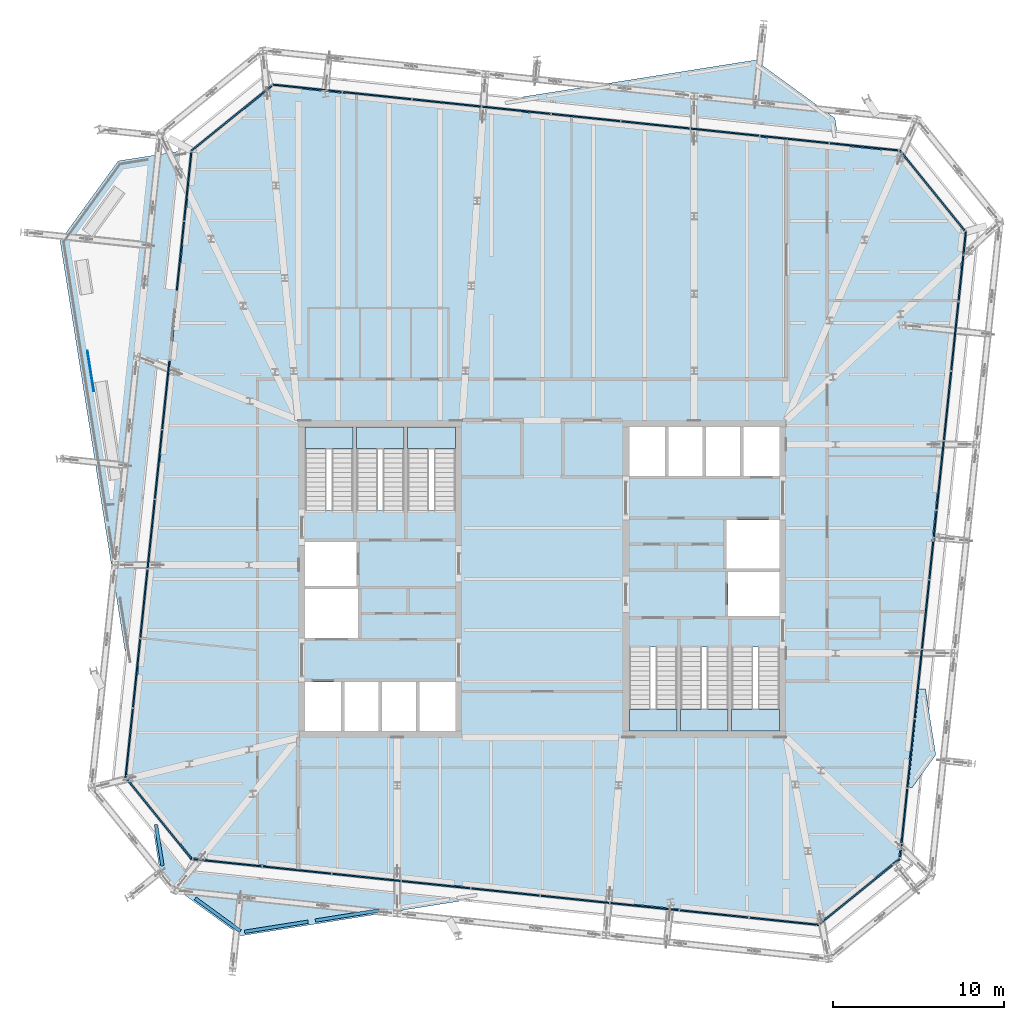
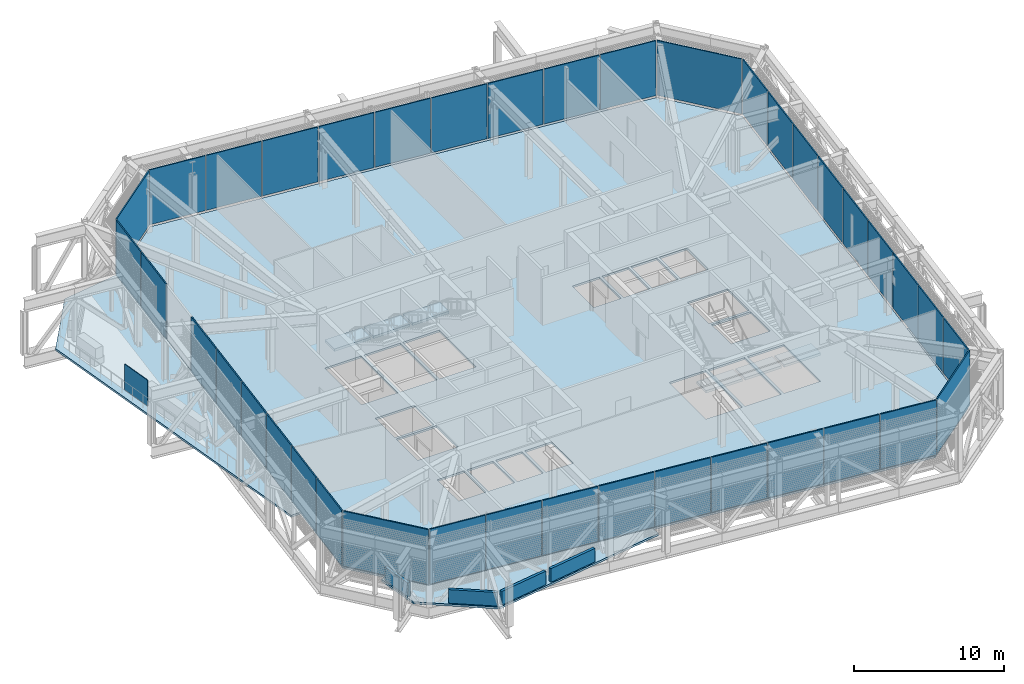
# One storey, part 20 of 36: 40 plates, 11 slabs, 4 walls, 14 elements without a shape of their own.
"""IFC4 building model written with IfcOpenShell, lengths in metres."""

from ifc_helpers import new_model, si_unit, direction, frame, frame_2d, origin, origin_2d, place, context, subcontext, project, spatial, polyline, rectangle, outline, extrude, material, layer, layer_set, type_object, element, aggregate, save


model = new_model("IFC4")

# Units and contexts
model_context = context("Model", 3, precision=1e-05, world=origin(), true_north=direction((0.0, 1.0)))
body_context = subcontext(model_context, "Body", "Model", "MODEL_VIEW")
ifc_project = project(units=[si_unit("LENGTHUNIT", "METRE"), si_unit("AREAUNIT", "SQUARE_METRE"), si_unit("VOLUMEUNIT", "CUBIC_METRE"), si_unit("PLANEANGLEUNIT", "RADIAN"), si_unit("MASSUNIT", "GRAM", prefix="KILO")], contexts=[model_context])

# Site, building, storey
site_placement = place(None, origin())
site = spatial("IfcSite", under=ifc_project, at=site_placement, CompositionType="ELEMENT")
building_placement = place(site_placement, origin())
building = spatial("IfcBuilding", under=site, at=building_placement, Name="Millrace Tower", CompositionType="ELEMENT")
storey_placement = place(building_placement, frame((0.0, 0.0, 271.39990234375)))
storey = spatial("IfcBuildingStorey", under=building, at=storey_placement, Name="L62", CompositionType="ELEMENT", Elevation=271.39990234375)

# Curtain wall, plate
ifc_material_1 = material(Name="Aluminium and glass", Category="aluminium")
ifc_layer_1 = layer(ifc_material_1, 0.14990234375)
ifc_layer_set_1 = layer_set([ifc_layer_1], Name="Aluminium and glass")
curtain_wall_type = type_object("IfcCurtainWallType", Name="CW-5 truss and plant storey louvred infill", PredefinedType="NOTDEFINED", material=ifc_layer_set_1)
placement_1 = place(storey_placement, origin())
curtain_wall_1 = element("IfcCurtainWall", 1, at=placement_1, inside=storey, type_object=curtain_wall_type, Name="Curtain wall E-F01 L62", PredefinedType="NOTDEFINED")
ifc_material_2 = material(Name="Glass", Category="glass")
ifc_layer_2 = layer(ifc_material_2, 0.090087890625)
ifc_layer_set_2 = layer_set([ifc_layer_2], Name="Glass")
plate_type_1 = type_object("IfcPlateType", Name="CW-5 truss and plant storey louvred infill louvre cassette", PredefinedType="CURTAIN_PANEL", material=ifc_layer_set_2)
placement_2 = place(storey_placement, frame((0.0, 0.0, 0.14013671875)))
plate_1 = element("IfcPlate", 2, at=placement_2, type_object=plate_type_1, Name="CW5 panel E-F01.1", PredefinedType="CURTAIN_PANEL", context=body_context, shape_type="SweptSolid", body=[
    extrude(outline(polyline([(-24.40625, -11.746826171875), (-20.5888671875, -16.4609375), (-20.54248046875, -16.375244140625), (-24.33642578125, -11.690185546875), (-24.40625, -11.746826171875)])), origin(), (0.0, 0.0, 1.0), 4.4599609375),
])
aggregate(curtain_wall_1, [plate_1])

# Curtain wall, plates
curtain_wall_2 = element("IfcCurtainWall", 3, at=placement_1, inside=storey, type_object=curtain_wall_type, Name="Curtain wall E-F02 L62", PredefinedType="NOTDEFINED")
plate_2 = element("IfcPlate", 4, at=placement_2, type_object=plate_type_1, Name="CW5 panel E-F02.1", PredefinedType="CURTAIN_PANEL", context=body_context, shape_type="SweptSolid", body=[
    extrude(outline(polyline([(-20.474853515625, -16.472900390625), (-16.4619140625, -16.894775390625), (-16.45263671875, -16.80517578125), (-20.46533203125, -16.383544921875), (-20.474853515625, -16.472900390625)])), origin(), (0.0, 0.0, 1.0), 4.4599609375),
])
plate_3 = element("IfcPlate", 5, at=placement_2, type_object=plate_type_1, Name="CW5 panel E-F02.2", PredefinedType="CURTAIN_PANEL", context=body_context, shape_type="SweptSolid", body=[
    extrude(outline(polyline([(-16.397216796875, -16.901611328125), (-12.384521484375, -17.3232421875), (-12.375, -17.23388671875), (-16.387939453125, -16.81201171875), (-16.397216796875, -16.901611328125)])), origin(), (0.0, 0.0, 1.0), 4.4599609375),
])
plate_4 = element("IfcPlate", 6, at=placement_2, type_object=plate_type_1, Name="CW5 panel E-F02.3", PredefinedType="CURTAIN_PANEL", context=body_context, shape_type="SweptSolid", body=[
    extrude(outline(polyline([(-12.31982421875, -17.330078125), (-8.306884765625, -17.751953125), (-8.29736328125, -17.662353515625), (-12.310302734375, -17.240478515625), (-12.31982421875, -17.330078125)])), origin(), (0.0, 0.0, 1.0), 4.4599609375),
])
plate_5 = element("IfcPlate", 7, at=placement_2, type_object=plate_type_1, Name="CW5 panel E-F02.4", PredefinedType="CURTAIN_PANEL", context=body_context, shape_type="SweptSolid", body=[
    extrude(outline(polyline([(-8.2421875, -17.758544921875), (-4.229248046875, -18.180419921875), (-4.219970703125, -18.0908203125), (-8.23291015625, -17.669189453125), (-8.2421875, -17.758544921875)])), origin(), (0.0, 0.0, 1.0), 4.4599609375),
])
plate_6 = element("IfcPlate", 8, at=placement_2, type_object=plate_type_1, Name="CW5 panel E-F02.5", PredefinedType="CURTAIN_PANEL", context=body_context, shape_type="SweptSolid", body=[
    extrude(outline(polyline([(-4.164794921875, -18.187255859375), (-0.15185546875, -18.60888671875), (-0.142333984375, -18.51953125), (-4.1552734375, -18.09765625), (-4.164794921875, -18.187255859375)])), origin(), (0.0, 0.0, 1.0), 4.4599609375),
])
plate_7 = element("IfcPlate", 9, at=placement_2, type_object=plate_type_1, Name="CW5 panel E-F02.6", PredefinedType="CURTAIN_PANEL", context=body_context, shape_type="SweptSolid", body=[
    extrude(outline(polyline([(-0.087158203125, -18.61572265625), (3.92578125, -19.03759765625), (3.93505859375, -18.947998046875), (-0.07763671875, -18.5263671875), (-0.087158203125, -18.61572265625)])), origin(), (0.0, 0.0, 1.0), 4.4599609375),
])
plate_8 = element("IfcPlate", 10, at=placement_2, type_object=plate_type_1, Name="CW5 panel E-F02.7", PredefinedType="CURTAIN_PANEL", context=body_context, shape_type="SweptSolid", body=[
    extrude(outline(polyline([(3.990478515625, -19.04443359375), (8.003173828125, -19.466064453125), (8.0126953125, -19.376708984375), (3.999755859375, -18.954833984375), (3.990478515625, -19.04443359375)])), origin(), (0.0, 0.0, 1.0), 4.4599609375),
])
plate_9 = element("IfcPlate", 11, at=placement_2, type_object=plate_type_1, Name="CW5 panel E-F02.8", PredefinedType="CURTAIN_PANEL", context=body_context, shape_type="SweptSolid", body=[
    extrude(outline(polyline([(8.06787109375, -19.472900390625), (12.080810546875, -19.894775390625), (12.09033203125, -19.80517578125), (8.077392578125, -19.38330078125), (8.06787109375, -19.472900390625)])), origin(), (0.0, 0.0, 1.0), 4.4599609375),
])
plate_10 = element("IfcPlate", 12, at=placement_2, type_object=plate_type_1, Name="CW5 panel E-F02.9", PredefinedType="CURTAIN_PANEL", context=body_context, shape_type="SweptSolid", body=[
    extrude(outline(polyline([(12.1455078125, -19.901611328125), (16.207763671875, -20.328369140625), (16.18017578125, -20.235107421875), (12.15478515625, -19.81201171875), (12.1455078125, -19.901611328125)])), origin(), (0.0, 0.0, 1.0), 4.4599609375),
])
aggregate(curtain_wall_2, [plate_2, plate_3, plate_4, plate_5, plate_6, plate_7, plate_8, plate_9, plate_10])

# Curtain wall, plate
curtain_wall_3 = element("IfcCurtainWall", 13, at=placement_1, inside=storey, type_object=curtain_wall_type, Name="Curtain wall E-F03 L62", PredefinedType="NOTDEFINED")
plate_11 = element("IfcPlate", 14, at=placement_2, type_object=plate_type_1, Name="CW5 panel E-F03.1", PredefinedType="CURTAIN_PANEL", context=body_context, shape_type="SweptSolid", body=[
    extrude(outline(polyline([(16.296875, -20.25634765625), (21.010986328125, -16.43896484375), (20.92529296875, -16.392333984375), (16.240234375, -20.186279296875), (16.296875, -20.25634765625)])), origin(), (0.0, 0.0, 1.0), 4.4599609375),
])
aggregate(curtain_wall_3, [plate_11])

# Curtain wall, plates
curtain_wall_4 = element("IfcCurtainWall", 15, at=placement_1, inside=storey, type_object=curtain_wall_type, Name="Curtain wall E-F04 L62", PredefinedType="NOTDEFINED")
plate_12 = element("IfcPlate", 16, at=placement_2, type_object=plate_type_1, Name="CW5 panel E-F04.1", PredefinedType="CURTAIN_PANEL", context=body_context, shape_type="SweptSolid", body=[
    extrude(outline(polyline([(21.02294921875, -16.324951171875), (21.44482421875, -12.31201171875), (21.355224609375, -12.302490234375), (20.933349609375, -16.3154296875), (21.02294921875, -16.324951171875)])), origin(), (0.0, 0.0, 1.0), 4.4599609375),
])
plate_13 = element("IfcPlate", 17, at=placement_2, type_object=plate_type_1, Name="CW5 panel E-F04.2", PredefinedType="CURTAIN_PANEL", context=body_context, shape_type="SweptSolid", body=[
    extrude(outline(polyline([(21.451416015625, -12.247314453125), (21.873291015625, -8.234375), (21.78369140625, -8.22509765625), (21.362060546875, -12.23779296875), (21.451416015625, -12.247314453125)])), origin(), (0.0, 0.0, 1.0), 4.4599609375),
])
plate_14 = element("IfcPlate", 18, at=placement_2, type_object=plate_type_1, Name="CW5 panel E-F04.3", PredefinedType="CURTAIN_PANEL", context=body_context, shape_type="SweptSolid", body=[
    extrude(outline(polyline([(21.880126953125, -8.169677734375), (22.3017578125, -4.156982421875), (22.21240234375, -4.1474609375), (21.79052734375, -8.160400390625), (21.880126953125, -8.169677734375)])), origin(), (0.0, 0.0, 1.0), 4.4599609375),
])
plate_15 = element("IfcPlate", 19, at=placement_2, type_object=plate_type_1, Name="CW5 panel E-F04.4", PredefinedType="CURTAIN_PANEL", context=body_context, shape_type="SweptSolid", body=[
    extrude(outline(polyline([(22.30859375, -4.09228515625), (22.73046875, -0.079345703125), (22.640869140625, -0.06982421875), (22.21923828125, -4.082763671875), (22.30859375, -4.09228515625)])), origin(), (0.0, 0.0, 1.0), 4.4599609375),
])
plate_16 = element("IfcPlate", 20, at=placement_2, type_object=plate_type_1, Name="CW5 panel E-F04.5", PredefinedType="CURTAIN_PANEL", context=body_context, shape_type="SweptSolid", body=[
    extrude(outline(polyline([(22.7373046875, -0.0146484375), (23.158935546875, 3.998291015625), (23.069580078125, 4.007568359375), (22.647705078125, -0.00537109375), (22.7373046875, -0.0146484375)])), origin(), (0.0, 0.0, 1.0), 4.4599609375),
])
plate_17 = element("IfcPlate", 21, at=placement_2, type_object=plate_type_1, Name="CW5 panel E-F04.6", PredefinedType="CURTAIN_PANEL", context=body_context, shape_type="SweptSolid", body=[
    extrude(outline(polyline([(23.165771484375, 4.062744140625), (23.587646484375, 8.07568359375), (23.498046875, 8.085205078125), (23.076171875, 4.072265625), (23.165771484375, 4.062744140625)])), origin(), (0.0, 0.0, 1.0), 4.4599609375),
])
plate_18 = element("IfcPlate", 22, at=placement_2, type_object=plate_type_1, Name="CW5 panel E-F04.7", PredefinedType="CURTAIN_PANEL", context=body_context, shape_type="SweptSolid", body=[
    extrude(outline(polyline([(23.59423828125, 8.140380859375), (24.01611328125, 12.1533203125), (23.926513671875, 12.16259765625), (23.5048828125, 8.14990234375), (23.59423828125, 8.140380859375)])), origin(), (0.0, 0.0, 1.0), 4.4599609375),
])
plate_19 = element("IfcPlate", 23, at=placement_2, type_object=plate_type_1, Name="CW5 panel E-F04.8", PredefinedType="CURTAIN_PANEL", context=body_context, shape_type="SweptSolid", body=[
    extrude(outline(polyline([(24.02294921875, 12.218017578125), (24.444580078125, 16.230712890625), (24.355224609375, 16.240234375), (23.933349609375, 12.227294921875), (24.02294921875, 12.218017578125)])), origin(), (0.0, 0.0, 1.0), 4.4599609375),
])
plate_20 = element("IfcPlate", 24, at=placement_2, type_object=plate_type_1, Name="CW5 panel E-F04.9", PredefinedType="CURTAIN_PANEL", context=body_context, shape_type="SweptSolid", body=[
    extrude(outline(polyline([(24.451416015625, 16.29541015625), (24.87841796875, 20.35791015625), (24.78515625, 20.330078125), (24.362060546875, 16.304931640625), (24.451416015625, 16.29541015625)])), origin(), (0.0, 0.0, 1.0), 4.4599609375),
])
aggregate(curtain_wall_4, [plate_12, plate_13, plate_14, plate_15, plate_16, plate_17, plate_18, plate_19, plate_20])

# Curtain wall, plate
curtain_wall_5 = element("IfcCurtainWall", 25, at=placement_1, inside=storey, type_object=curtain_wall_type, Name="Curtain wall E-F05 L62", PredefinedType="NOTDEFINED")
plate_21 = element("IfcPlate", 26, at=placement_2, type_object=plate_type_1, Name="CW5 panel E-F05.1", PredefinedType="CURTAIN_PANEL", context=body_context, shape_type="SweptSolid", body=[
    extrude(outline(polyline([(24.806396484375, 20.447021484375), (20.989013671875, 25.160888671875), (20.9423828125, 25.075439453125), (24.736328125, 20.390380859375), (24.806396484375, 20.447021484375)])), origin(), (0.0, 0.0, 1.0), 4.4599609375),
])
aggregate(curtain_wall_5, [plate_21])

# Curtain wall, plates
curtain_wall_6 = element("IfcCurtainWall", 27, at=placement_1, inside=storey, type_object=curtain_wall_type, Name="Curtain wall E-F06 L62", PredefinedType="NOTDEFINED")
plate_22 = element("IfcPlate", 28, at=placement_2, type_object=plate_type_1, Name="CW5 panel E-F06.1", PredefinedType="CURTAIN_PANEL", context=body_context, shape_type="SweptSolid", body=[
    extrude(outline(polyline([(20.874755859375, 25.1728515625), (16.862060546875, 25.5947265625), (16.8525390625, 25.505126953125), (20.865478515625, 25.08349609375), (20.874755859375, 25.1728515625)])), origin(), (0.0, 0.0, 1.0), 4.4599609375),
])
plate_23 = element("IfcPlate", 29, at=placement_2, type_object=plate_type_1, Name="CW5 panel E-F06.2", PredefinedType="CURTAIN_PANEL", context=body_context, shape_type="SweptSolid", body=[
    extrude(outline(polyline([(16.79736328125, 25.6015625), (12.784423828125, 26.023193359375), (12.77490234375, 25.933837890625), (16.787841796875, 25.511962890625), (16.79736328125, 25.6015625)])), origin(), (0.0, 0.0, 1.0), 4.4599609375),
])
plate_24 = element("IfcPlate", 30, at=placement_2, type_object=plate_type_1, Name="CW5 panel E-F06.3", PredefinedType="CURTAIN_PANEL", context=body_context, shape_type="SweptSolid", body=[
    extrude(outline(polyline([(12.7197265625, 26.030029296875), (8.706787109375, 26.451904296875), (8.697509765625, 26.3623046875), (12.71044921875, 25.940673828125), (12.7197265625, 26.030029296875)])), origin(), (0.0, 0.0, 1.0), 4.4599609375),
])
plate_25 = element("IfcPlate", 31, at=placement_2, type_object=plate_type_1, Name="CW5 panel E-F06.4", PredefinedType="CURTAIN_PANEL", context=body_context, shape_type="SweptSolid", body=[
    extrude(outline(polyline([(8.642333984375, 26.458740234375), (4.62939453125, 26.88037109375), (4.619873046875, 26.791015625), (8.6328125, 26.369140625), (8.642333984375, 26.458740234375)])), origin(), (0.0, 0.0, 1.0), 4.4599609375),
])
plate_26 = element("IfcPlate", 32, at=placement_2, type_object=plate_type_1, Name="CW5 panel E-F06.5", PredefinedType="CURTAIN_PANEL", context=body_context, shape_type="SweptSolid", body=[
    extrude(outline(polyline([(4.564697265625, 26.88720703125), (0.5517578125, 27.30908203125), (0.54248046875, 27.219482421875), (4.55517578125, 26.797607421875), (4.564697265625, 26.88720703125)])), origin(), (0.0, 0.0, 1.0), 4.4599609375),
])
plate_27 = element("IfcPlate", 33, at=placement_2, type_object=plate_type_1, Name="CW5 panel E-F06.6", PredefinedType="CURTAIN_PANEL", context=body_context, shape_type="SweptSolid", body=[
    extrude(outline(polyline([(0.487060546875, 27.315673828125), (-3.525634765625, 27.737548828125), (-3.53515625, 27.64794921875), (0.477783203125, 27.226318359375), (0.487060546875, 27.315673828125)])), origin(), (0.0, 0.0, 1.0), 4.4599609375),
])
plate_28 = element("IfcPlate", 34, at=placement_2, type_object=plate_type_1, Name="CW5 panel E-F06.7", PredefinedType="CURTAIN_PANEL", context=body_context, shape_type="SweptSolid", body=[
    extrude(outline(polyline([(-3.59033203125, 27.744384765625), (-7.603271484375, 28.166015625), (-7.61279296875, 28.07666015625), (-3.599853515625, 27.65478515625), (-3.59033203125, 27.744384765625)])), origin(), (0.0, 0.0, 1.0), 4.4599609375),
])
plate_29 = element("IfcPlate", 35, at=placement_2, type_object=plate_type_1, Name="CW5 panel E-F06.8", PredefinedType="CURTAIN_PANEL", context=body_context, shape_type="SweptSolid", body=[
    extrude(outline(polyline([(-7.66796875, 28.1728515625), (-11.680908203125, 28.5947265625), (-11.690185546875, 28.505126953125), (-7.67724609375, 28.08349609375), (-7.66796875, 28.1728515625)])), origin(), (0.0, 0.0, 1.0), 4.4599609375),
])
plate_30 = element("IfcPlate", 36, at=placement_2, type_object=plate_type_1, Name="CW5 panel E-F06.9", PredefinedType="CURTAIN_PANEL", context=body_context, shape_type="SweptSolid", body=[
    extrude(outline(polyline([(-11.745361328125, 28.6015625), (-15.807861328125, 29.028564453125), (-15.780029296875, 28.93505859375), (-11.7548828125, 28.511962890625), (-11.745361328125, 28.6015625)])), origin(), (0.0, 0.0, 1.0), 4.4599609375),
])
aggregate(curtain_wall_6, [plate_22, plate_23, plate_24, plate_25, plate_26, plate_27, plate_28, plate_29, plate_30])

# Curtain wall, plate
curtain_wall_7 = element("IfcCurtainWall", 37, at=placement_1, inside=storey, type_object=curtain_wall_type, Name="Curtain wall E-F07 L62", PredefinedType="NOTDEFINED")
plate_31 = element("IfcPlate", 38, at=placement_2, type_object=plate_type_1, Name="CW5 panel E-F07.1", PredefinedType="CURTAIN_PANEL", context=body_context, shape_type="SweptSolid", body=[
    extrude(outline(polyline([(-15.89697265625, 28.956298828125), (-20.611083984375, 25.138916015625), (-20.525390625, 25.092529296875), (-15.84033203125, 28.88623046875), (-15.89697265625, 28.956298828125)])), origin(), (0.0, 0.0, 1.0), 4.4599609375),
])
aggregate(curtain_wall_7, [plate_31])

# Curtain wall, plates
curtain_wall_8 = element("IfcCurtainWall", 39, at=placement_1, inside=storey, type_object=curtain_wall_type, Name="Curtain wall E-F08 L62", PredefinedType="NOTDEFINED")
plate_32 = element("IfcPlate", 40, at=placement_2, type_object=plate_type_1, Name="CW5 panel E-F08.1", PredefinedType="CURTAIN_PANEL", context=body_context, shape_type="SweptSolid", body=[
    extrude(outline(polyline([(-20.623046875, 25.02490234375), (-21.044677734375, 21.011962890625), (-20.955322265625, 21.00244140625), (-20.533447265625, 25.015380859375), (-20.623046875, 25.02490234375)])), origin(), (0.0, 0.0, 1.0), 4.4599609375),
])
plate_33 = element("IfcPlate", 41, at=placement_2, type_object=plate_type_1, Name="CW5 panel E-F08.2", PredefinedType="CURTAIN_PANEL", context=body_context, shape_type="SweptSolid", body=[
    extrude(outline(polyline([(-21.051513671875, 20.947265625), (-21.473388671875, 16.934326171875), (-21.3837890625, 16.925048828125), (-20.9619140625, 20.93798828125), (-21.051513671875, 20.947265625)])), origin(), (0.0, 0.0, 1.0), 4.4599609375),
])
plate_34 = element("IfcPlate", 42, at=placement_2, type_object=plate_type_1, Name="CW5 panel E-F08.4", PredefinedType="CURTAIN_PANEL", context=body_context, shape_type="SweptSolid", body=[
    extrude(outline(polyline([(-21.90869140625, 12.792236328125), (-22.330322265625, 8.779296875), (-22.240966796875, 8.77001953125), (-21.819091796875, 12.78271484375), (-21.90869140625, 12.792236328125)])), origin(), (0.0, 0.0, 1.0), 4.4599609375),
])
plate_35 = element("IfcPlate", 43, at=placement_2, type_object=plate_type_1, Name="CW5 panel E-F08.5", PredefinedType="CURTAIN_PANEL", context=body_context, shape_type="SweptSolid", body=[
    extrude(outline(polyline([(-22.337158203125, 8.714599609375), (-22.759033203125, 4.701904296875), (-22.66943359375, 4.6923828125), (-22.247802734375, 8.705322265625), (-22.337158203125, 8.714599609375)])), origin(), (0.0, 0.0, 1.0), 4.4599609375),
])
plate_36 = element("IfcPlate", 44, at=placement_2, type_object=plate_type_1, Name="CW5 panel E-F08.6", PredefinedType="CURTAIN_PANEL", context=body_context, shape_type="SweptSolid", body=[
    extrude(outline(polyline([(-22.765869140625, 4.63720703125), (-23.1875, 0.624267578125), (-23.09814453125, 0.61474609375), (-22.67626953125, 4.627685546875), (-22.765869140625, 4.63720703125)])), origin(), (0.0, 0.0, 1.0), 4.4599609375),
])
plate_37 = element("IfcPlate", 45, at=placement_2, type_object=plate_type_1, Name="CW5 panel E-F08.7", PredefinedType="CURTAIN_PANEL", context=body_context, shape_type="SweptSolid", body=[
    extrude(outline(polyline([(-23.1943359375, 0.5595703125), (-23.6162109375, -3.453369140625), (-23.526611328125, -3.462646484375), (-23.104736328125, 0.55029296875), (-23.1943359375, 0.5595703125)])), origin(), (0.0, 0.0, 1.0), 4.4599609375),
])
plate_38 = element("IfcPlate", 46, at=placement_2, type_object=plate_type_1, Name="CW5 panel E-F08.8", PredefinedType="CURTAIN_PANEL", context=body_context, shape_type="SweptSolid", body=[
    extrude(outline(polyline([(-23.623046875, -3.517822265625), (-24.044677734375, -7.53076171875), (-23.955078125, -7.540283203125), (-23.533447265625, -3.52734375), (-23.623046875, -3.517822265625)])), origin(), (0.0, 0.0, 1.0), 4.4599609375),
])
plate_39 = element("IfcPlate", 47, at=placement_2, type_object=plate_type_1, Name="CW5 panel E-F08.9", PredefinedType="CURTAIN_PANEL", context=body_context, shape_type="SweptSolid", body=[
    extrude(outline(polyline([(-24.051513671875, -7.595458984375), (-24.478515625, -11.65771484375), (-24.385009765625, -11.630126953125), (-23.9619140625, -7.60498046875), (-24.051513671875, -7.595458984375)])), origin(), (0.0, 0.0, 1.0), 4.4599609375),
])
aggregate(curtain_wall_8, [plate_32, plate_33, plate_34, plate_35, plate_36, plate_37, plate_38, plate_39])

# Slabs
ifc_material_3 = material(Name="Concrete C35 on steel deck", Category="concrete")
ifc_layer_3 = layer(ifc_material_3, 0.159912109375)
ifc_layer_set_3 = layer_set([ifc_layer_3], Name="Concrete C35 on steel deck")
slab_type_1 = type_object("IfcSlabType", Name="Composite floor slab 160 mm", PredefinedType="FLOOR", material=ifc_layer_set_3)
placement_3 = place(storey_placement, frame((0.0, 0.0, -0.159912109375)))
element("IfcSlab", 48, at=placement_3, inside=storey, type_object=slab_type_1, Name="SL-E-L62-S1", PredefinedType="FLOOR", context=body_context, shape_type="SweptSolid", body=[
    extrude(outline(polyline([(-24.35400390625, -11.620849609375), (-20.52685546875, -16.346923828125), (16.1708984375, -20.203857421875), (20.896728515625, -16.376953125), (24.75390625, 20.32080078125), (20.927001953125, 25.046875), (-15.77099609375, 28.90380859375), (-20.496826171875, 25.076904296875), (-24.35400390625, -11.620849609375)]), holes=[polyline([(-13.89990234375, -8.89990234375), (-11.800048828125, -8.89990234375), (-11.800048828125, -6.050048828125), (-13.89990234375, -6.050048828125), (-13.89990234375, -8.89990234375)]), polyline([(-11.60009765625, -8.89990234375), (-9.60009765625, -8.89990234375), (-9.60009765625, -6.050048828125), (-11.60009765625, -6.050048828125), (-11.60009765625, -8.89990234375)]), polyline([(-9.39990234375, -8.89990234375), (-7.39990234375, -8.89990234375), (-7.39990234375, -6.050048828125), (-9.39990234375, -6.050048828125), (-9.39990234375, -8.89990234375)]), polyline([(-7.199951171875, -8.89990234375), (-5.10009765625, -8.89990234375), (-5.10009765625, -6.050048828125), (-7.199951171875, -6.050048828125), (-7.199951171875, -8.89990234375)]), polyline([(-13.89990234375, -3.449951171875), (-10.800048828125, -3.449951171875), (-10.800048828125, -0.60009765625), (-13.89990234375, -0.60009765625), (-13.89990234375, -3.449951171875)]), polyline([(-13.89990234375, -0.39990234375), (-10.89990234375, -0.39990234375), (-10.89990234375, 2.179931640625), (-13.89990234375, 2.179931640625), (-13.89990234375, -0.39990234375)]), polyline([(-13.89990234375, 4.0), (-11.10009765625, 4.0), (-11.10009765625, 8.89990234375), (-13.89990234375, 8.89990234375), (-13.89990234375, 4.0)]), polyline([(-10.89990234375, 4.0), (-8.10009765625, 4.0), (-8.10009765625, 8.89990234375), (-10.89990234375, 8.89990234375), (-10.89990234375, 4.0)]), polyline([(-7.89990234375, 4.0), (-5.10009765625, 4.0), (-5.10009765625, 8.89990234375), (-7.89990234375, 8.89990234375), (-7.89990234375, 4.0)]), polyline([(11.800048828125, 6.050048828125), (13.89990234375, 6.050048828125), (13.89990234375, 8.89990234375), (11.800048828125, 8.89990234375), (11.800048828125, 6.050048828125)]), polyline([(9.60009765625, 6.050048828125), (11.60009765625, 6.050048828125), (11.60009765625, 8.89990234375), (9.60009765625, 8.89990234375), (9.60009765625, 6.050048828125)]), polyline([(7.39990234375, 6.050048828125), (9.39990234375, 6.050048828125), (9.39990234375, 8.89990234375), (7.39990234375, 8.89990234375), (7.39990234375, 6.050048828125)]), polyline([(5.10009765625, 6.050048828125), (7.199951171875, 6.050048828125), (7.199951171875, 8.89990234375), (5.10009765625, 8.89990234375), (5.10009765625, 6.050048828125)]), polyline([(10.800048828125, 0.60009765625), (13.89990234375, 0.60009765625), (13.89990234375, 3.449951171875), (10.800048828125, 3.449951171875), (10.800048828125, 0.60009765625)]), polyline([(10.89990234375, -2.179931640625), (13.89990234375, -2.179931640625), (13.89990234375, 0.39990234375), (10.89990234375, 0.39990234375), (10.89990234375, -2.179931640625)]), polyline([(11.10009765625, -8.89990234375), (13.89990234375, -8.89990234375), (13.89990234375, -4.0), (11.10009765625, -4.0), (11.10009765625, -8.89990234375)]), polyline([(8.10009765625, -8.89990234375), (10.89990234375, -8.89990234375), (10.89990234375, -4.0), (8.10009765625, -4.0), (8.10009765625, -8.89990234375)]), polyline([(5.10009765625, -8.89990234375), (7.89990234375, -8.89990234375), (7.89990234375, -4.0), (5.10009765625, -4.0), (5.10009765625, -8.89990234375)])]), origin(), (0.0, 0.0, 1.0), 0.159912109375),
])
ifc_material_4 = material(Name="Concrete C35 on steel deck", Category="concrete")
ifc_layer_4 = layer(ifc_material_4, 0.159912109375)
ifc_layer_set_4 = layer_set([ifc_layer_4], Name="Concrete C35 on steel deck")
slab_type_2 = type_object("IfcSlabType", Name="Composite roof slab 160 mm", PredefinedType="ROOF", material=ifc_layer_set_4)
element("IfcSlab", 49, at=placement_3, inside=storey, type_object=slab_type_2, Name="SL-D-L61-R1", PredefinedType="ROOF", context=body_context, shape_type="SweptSolid", body=[
    extrude(outline(polyline([(-28.2734375, 19.8193359375), (-24.865234375, 24.51025390625), (-20.4833984375, 25.204345703125), (-23.632568359375, -4.758056640625), (-24.377685546875, -4.777587890625), (-28.2734375, 19.8193359375)])), origin(), (0.0, 0.0, 1.0), 0.159912109375),
])
element("IfcSlab", 50, at=placement_3, inside=storey, type_object=slab_type_2, Name="SL-D-L61-R2", PredefinedType="ROOF", context=body_context, shape_type="SweptSolid", body=[
    extrude(outline(polyline([(-17.66943359375, -20.92333984375), (-22.360107421875, -17.515380859375), (-22.885009765625, -14.201171875), (-22.428955078125, -13.998046875), (-20.52685546875, -16.346923828125), (-4.279296875, -18.054443359375), (-4.259765625, -18.799560546875), (-17.66943359375, -20.92333984375)])), origin(), (0.0, 0.0, 1.0), 0.159912109375),
])
element("IfcSlab", 51, at=placement_3, inside=storey, type_object=slab_type_2, Name="SL-D-L61-R3", PredefinedType="ROOF", context=body_context, shape_type="SweptSolid", body=[
    extrude(outline(polyline([(12.46923828125, 30.42333984375), (17.16015625, 27.015380859375), (17.41357421875, 25.416015625), (-1.72314453125, 27.427490234375), (-1.74267578125, 28.172607421875), (12.46923828125, 30.42333984375)])), origin(), (0.0, 0.0, 1.0), 0.159912109375),
])
element("IfcSlab", 52, at=placement_3, inside=storey, type_object=slab_type_2, Name="SL-D-L61-R4", PredefinedType="ROOF", context=body_context, shape_type="SweptSolid", body=[
    extrude(outline(polyline([(23.073486328125, -10.3193359375), (21.669921875, -12.2509765625), (21.34375, -12.125732421875), (21.93896484375, -6.46240234375), (22.46044921875, -6.44873046875), (23.073486328125, -10.3193359375)])), origin(), (0.0, 0.0, 1.0), 0.159912109375),
])

# Stair, slab
ifc_material_5 = material(Name="Concrete C35", Category="concrete")
stair_type = type_object("IfcStairType", Name="Exit stair", PredefinedType="HALF_TURN_STAIR", material=ifc_material_5)
stair_1 = element("IfcStair", 53, at=placement_1, inside=storey, type_object=stair_type, Name="Stair 1 W L62", PredefinedType="HALF_TURN_STAIR")
ifc_material_6 = material(Name="Concrete C40", Category="concrete")
ifc_layer_5 = layer(ifc_material_6, 0.199951171875)
ifc_layer_set_5 = layer_set([ifc_layer_5], Name="Concrete C40")
slab_type_3 = type_object("IfcSlabType", Name="Stair landing", PredefinedType="LANDING", material=ifc_layer_set_5)
placement_4 = place(storey_placement, frame((0.0, 0.0, 2.10009765625)))
slab_6 = element("IfcSlab", 54, at=placement_4, type_object=slab_type_3, Name="ST12 landing 1", PredefinedType="LANDING", context=body_context, shape_type="SweptSolid", body=[
    extrude(outline(polyline([(-13.89990234375, 7.639892578125), (-11.10009765625, 7.639892578125), (-11.10009765625, 8.89990234375), (-13.89990234375, 8.89990234375), (-13.89990234375, 7.639892578125)])), origin(), (0.0, 0.0, 1.0), 0.199951171875),
])
aggregate(stair_1, [slab_6])

stair_2 = element("IfcStair", 55, at=placement_1, inside=storey, type_object=stair_type, Name="Stair 2 W L62", PredefinedType="HALF_TURN_STAIR")
slab_7 = element("IfcSlab", 56, at=placement_4, type_object=slab_type_3, Name="ST12 landing 1", PredefinedType="LANDING", context=body_context, shape_type="SweptSolid", body=[
    extrude(outline(polyline([(-10.89990234375, 7.639892578125), (-8.10009765625, 7.639892578125), (-8.10009765625, 8.89990234375), (-10.89990234375, 8.89990234375), (-10.89990234375, 7.639892578125)])), origin(), (0.0, 0.0, 1.0), 0.199951171875),
])
aggregate(stair_2, [slab_7])

stair_3 = element("IfcStair", 57, at=placement_1, inside=storey, type_object=stair_type, Name="Stair 3 W L62", PredefinedType="HALF_TURN_STAIR")
slab_8 = element("IfcSlab", 58, at=placement_4, type_object=slab_type_3, Name="ST12 landing 1", PredefinedType="LANDING", context=body_context, shape_type="SweptSolid", body=[
    extrude(outline(polyline([(-7.89990234375, 7.639892578125), (-5.10009765625, 7.639892578125), (-5.10009765625, 8.89990234375), (-7.89990234375, 8.89990234375), (-7.89990234375, 7.639892578125)])), origin(), (0.0, 0.0, 1.0), 0.199951171875),
])
aggregate(stair_3, [slab_8])

stair_4 = element("IfcStair", 59, at=placement_1, inside=storey, type_object=stair_type, Name="Stair 1 E L62", PredefinedType="HALF_TURN_STAIR")
slab_9 = element("IfcSlab", 60, at=placement_4, type_object=slab_type_3, Name="ST12 landing 1", PredefinedType="LANDING", context=body_context, shape_type="SweptSolid", body=[
    extrude(outline(polyline([(11.10009765625, -8.89990234375), (13.89990234375, -8.89990234375), (13.89990234375, -7.639892578125), (11.10009765625, -7.639892578125), (11.10009765625, -8.89990234375)])), origin(), (0.0, 0.0, 1.0), 0.199951171875),
])
aggregate(stair_4, [slab_9])

stair_5 = element("IfcStair", 61, at=placement_1, inside=storey, type_object=stair_type, Name="Stair 2 E L62", PredefinedType="HALF_TURN_STAIR")
slab_10 = element("IfcSlab", 62, at=placement_4, type_object=slab_type_3, Name="ST12 landing 1", PredefinedType="LANDING", context=body_context, shape_type="SweptSolid", body=[
    extrude(outline(polyline([(8.10009765625, -8.89990234375), (10.89990234375, -8.89990234375), (10.89990234375, -7.639892578125), (8.10009765625, -7.639892578125), (8.10009765625, -8.89990234375)])), origin(), (0.0, 0.0, 1.0), 0.199951171875),
])
aggregate(stair_5, [slab_10])

stair_6 = element("IfcStair", 63, at=placement_1, inside=storey, type_object=stair_type, Name="Stair 3 E L62", PredefinedType="HALF_TURN_STAIR")
slab_11 = element("IfcSlab", 64, at=placement_4, type_object=slab_type_3, Name="ST12 landing 1", PredefinedType="LANDING", context=body_context, shape_type="SweptSolid", body=[
    extrude(outline(polyline([(5.10009765625, -8.89990234375), (7.89990234375, -8.89990234375), (7.89990234375, -7.639892578125), (5.10009765625, -7.639892578125), (5.10009765625, -8.89990234375)])), origin(), (0.0, 0.0, 1.0), 0.199951171875),
])
aggregate(stair_6, [slab_11])

# Plate
ifc_material_7 = material(Name="Laminated glass", Category="glass")
ifc_layer_6 = layer(ifc_material_7, 0.050048828125)
ifc_layer_set_6 = layer_set([ifc_layer_6], Name="Laminated glass")
plate_type_2 = type_object("IfcPlateType", Name="WIND SCREEN laminated glass panel 2100", PredefinedType="SHEET", material=ifc_layer_set_6)
plate_40_placement = place(storey_placement, frame((-26.482666015625, 12.18798828125, 0.0), z_axis=(0.0, 0.0, 1.0), x_axis=(0.156434437235, -0.987688344999, 0.0)))
element("IfcPlate", 65, at=plate_40_placement, inside=storey, type_object=plate_type_2, Name="WIND SCREEN T-L61-1 1.2", PredefinedType="SHEET", context=body_context, shape_type="SweptSolid", body=[
    extrude(rectangle(XDim=2.39990234375, YDim=0.050048828125, at=origin_2d()), origin(), (0.0, 0.0, 1.0), 2.10009765625),
])

# Walls
ifc_material_8 = material(Name="Concrete C40", Category="concrete")
ifc_layer_7 = layer(ifc_material_8, 0.199951171875)
ifc_layer_set_7 = layer_set([ifc_layer_7], Name="Concrete C40")
wall_type = type_object("IfcWallType", Name="Roof parapet 1100", PredefinedType="PARAPET", material=ifc_layer_set_7)
wall_1_placement = place(storey_placement, frame((-22.26806640625, -16.818603515625, 0.0), z_axis=(0.0, 0.0, 1.0), x_axis=(-0.156443546848, 0.987686902135, 0.0)))
element("IfcWall", 66, at=wall_1_placement, inside=storey, type_object=wall_type, Name="Roof parapet L61-E2-1 1", PredefinedType="PARAPET", context=body_context, shape_type="SweptSolid", body=[
    extrude(rectangle(XDim=2.4501953125, YDim=0.199951171875, at=frame_2d((1.22509765625, 0.0))), origin(), (0.0, 0.0, 1.0), 1.10009765625),
])
wall_2_placement = place(storey_placement, frame((-17.703369140625, -20.651611328125, 0.0), z_axis=(0.0, 0.0, 1.0), x_axis=(-0.808987688332, 0.587825586486, 0.0)))
element("IfcWall", 67, at=wall_2_placement, inside=storey, type_object=wall_type, Name="Roof parapet L61-E2-2 1", PredefinedType="PARAPET", context=body_context, shape_type="SweptSolid", body=[
    extrude(rectangle(XDim=3.27197265625, YDim=0.199951171875, at=frame_2d((1.635986328125, 0.0))), origin(), (0.0, 0.0, 1.0), 1.10009765625),
])
for number, where, z_axis, x_axis, name in (
    (68, (-13.7333984375, -20.09765625, 0.0), (0.0, 0.0, 1.0), (-0.987692468849, -0.156408398045, 0.0), "Roof parapet L61-E2-3 1"),
    (69, (-9.585205078125, -19.4404296875, 0.0), (0.0, 0.0, 1.0), (-0.987682457607, -0.156471604246, 0.0), "Roof parapet L61-E2-4 1"),
):
    element("IfcWall", number, at=place(storey_placement, frame(where, z_axis=z_axis, x_axis=x_axis)), inside=storey, type_object=wall_type, Name=name, PredefinedType="PARAPET", context=body_context, shape_type="SweptSolid", body=[
        extrude(rectangle(XDim=3.76806640625, YDim=0.199951171875, at=frame_2d((1.884033203125, 0.0))), origin(), (0.0, 0.0, 1.0), 1.10009765625),
    ])

save(model, "model.ifc")
